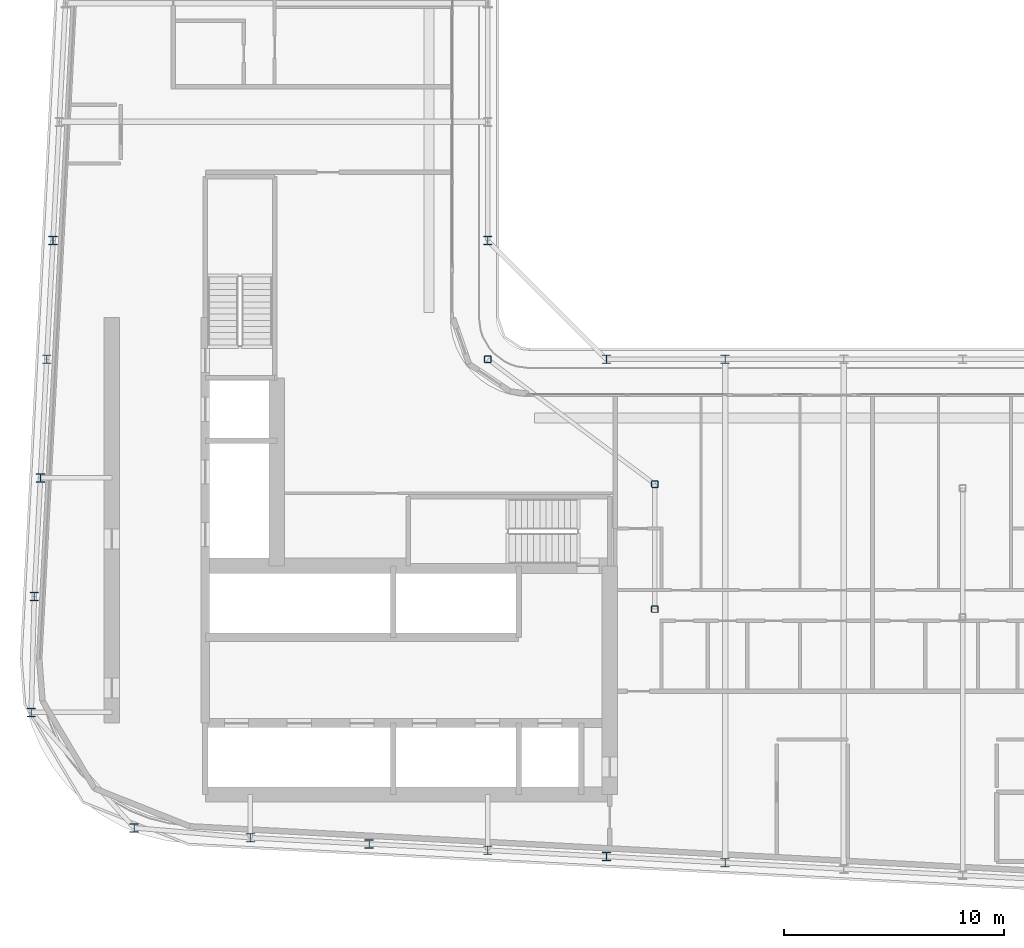
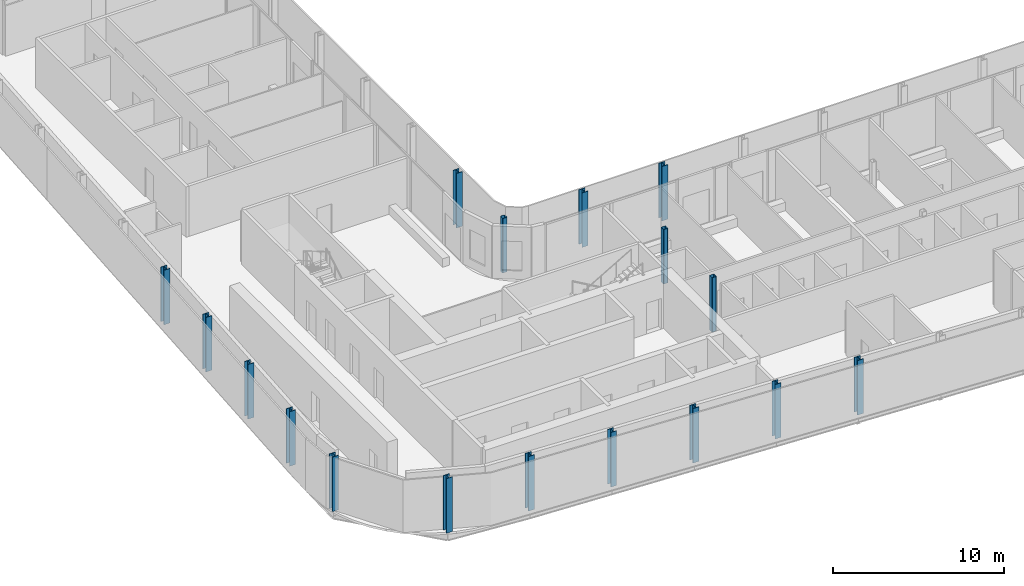
# One storey, part 1 of 23: 17 columns.
"""IFC4 building model written with IfcOpenShell, lengths in metres."""

from ifc_helpers import new_model, si_unit, direction, frame, origin, origin_2d, place, context, subcontext, project, spatial, hollow_rectangle, i_section, extrude, material, material_profile, profile_set, type_object, element, save


model = new_model("IFC4")

# Units and contexts
model_context = context("Model", 3, precision=1e-05, world=origin(), true_north=direction((0.0, 1.0)))
body_context = subcontext(model_context, "Body", "Model", "MODEL_VIEW")
ifc_project = project(units=[si_unit("LENGTHUNIT", "METRE"), si_unit("AREAUNIT", "SQUARE_METRE"), si_unit("VOLUMEUNIT", "CUBIC_METRE"), si_unit("PLANEANGLEUNIT", "RADIAN"), si_unit("MASSUNIT", "GRAM", prefix="KILO")], contexts=[model_context])

# Site, building, storey
site_placement = place(None, origin())
site = spatial("IfcSite", under=ifc_project, at=site_placement, CompositionType="ELEMENT")
building_placement = place(site_placement, origin())
building = spatial("IfcBuilding", under=site, at=building_placement, Name="Kheshtan School and Residences Tower", CompositionType="ELEMENT")
storey_placement = place(building_placement, frame((0.0, 0.0, 259.10009765625)))
storey = spatial("IfcBuildingStorey", under=building, at=storey_placement, Name="L61", CompositionType="ELEMENT", Elevation=259.10009765625)

# Columns
ifc_material_1 = material(Name="Steel ASTM A992 Grade 50", Category="steel")
ifc_material_profile_1 = material_profile(ifc_material_1, i_section(OverallWidth=0.404052734375, OverallDepth=0.406982421875, WebThickness=0.027099609375, FlangeThickness=0.043701171875, FilletRadius=0.01220703125, at=origin_2d()), Name="W360x347")
ifc_profile_set_1 = profile_set([ifc_material_profile_1], Name="Steel ASTM A992 Grade 50")
column_type_1 = type_object("IfcColumnType", Name="Column C4 W360x347 ASTM A992 Grade 50", PredefinedType="COLUMN", material=ifc_profile_set_1)
for number, where, z_axis, x_axis, name in (
    (1, (58.39990234375, 22.695068359375, 0.0), (0.0, 0.0, 1.0), (1.0, 0.0, 0.0), "Column C018"),
    (2, (53.0, 22.97998046875, 0.0), (0.0, 0.0, 1.0), (1.0, 0.0, 0.0), "Column C019"),
    (3, (47.60009765625, 23.263916015625, 0.0), (0.0, 0.0, 1.0), (1.0, 0.0, 0.0), "Column C020"),
    (4, (42.199951171875, 23.548095703125, 0.0), (0.0, 0.0, 1.0), (1.0, 0.0, 0.0), "Column C021"),
    (5, (36.800048828125, 23.83203125, 0.0), (0.0, 0.0, 1.0), (1.0, 0.0, 0.0), "Column C022"),
    (6, (31.510009765625, 24.282958984375, 0.0), (0.0, 0.0, 1.0), (1.0, 0.0, 0.0), "Column C030"),
    (7, (26.830078125, 29.5380859375, 0.0), (0.0, 0.0, 1.0), (1.0, 0.0, 0.0), "Column C043"),
    (8, (26.968994140625, 34.800048828125, 0.0), (0.0, 0.0, 1.0), (1.0, 0.0, 0.0), "Column C052"),
    (9, (27.2529296875, 40.199951171875, 0.0), (0.0, 0.0, 1.0), (1.0, 0.0, 0.0), "Column C056"),
    (10, (27.537109375, 45.60009765625, 0.0), (0.0, 0.0, 1.0), (1.0, 0.0, 0.0), "Column C059"),
    (11, (53.0, 45.60009765625, 0.0), (0.0, 0.0, 1.0), (1.0, 0.0, 0.0), "Column C061"),
    (12, (58.39990234375, 45.60009765625, 0.0), (0.0, 0.0, 1.0), (1.0, 0.0, 0.0), "Column C062"),
    (13, (27.822021484375, 51.0, 0.0), (0.0, 0.0, 1.0), (1.0, 0.0, 0.0), "Column C078"),
    (14, (47.60009765625, 51.0, 0.0), (0.0, 0.0, 1.0), (1.0, 0.0, 0.0), "Column C079"),
):
    element("IfcColumn", number, at=place(storey_placement, frame(where, z_axis=z_axis, x_axis=x_axis)), inside=storey, type_object=column_type_1, Name=name, PredefinedType="COLUMN", context=body_context, shape_type="SweptSolid", body=[
        extrude(i_section(OverallWidth=0.404052734375, OverallDepth=0.406982421875, WebThickness=0.027099609375, FlangeThickness=0.043701171875, FilletRadius=0.01220703125, at=origin_2d()), origin(), (0.0, 0.0, 1.0), 3.89990234375),
    ])
ifc_material_2 = material(Name="Steel ASTM A500 Grade C", Category="steel")
ifc_material_profile_2 = material_profile(ifc_material_2, hollow_rectangle(XDim=0.304931640625, YDim=0.304931640625, WallThickness=0.015869140625, InnerFilletRadius=0.015869140625, OuterFilletRadius=0.03173828125, at=origin_2d()), Name="HSS 305x305x15.9")
ifc_profile_set_2 = profile_set([ifc_material_profile_2], Name="Steel ASTM A500 Grade C")
column_type_2 = type_object("IfcColumnType", Name="Column IC2 HSS 305x305x15.9 ASTM A500 Grade C", PredefinedType="COLUMN", material=ifc_profile_set_2)
for number, where, z_axis, x_axis, name in (
    (15, (55.199951171875, 34.23193359375, 0.0), (0.0, 0.0, 1.0), (1.0, 0.0, 0.0), "Column C051"),
    (16, (55.199951171875, 39.916015625, 0.0), (0.0, 0.0, 1.0), (1.0, 0.0, 0.0), "Column C055"),
    (17, (47.60009765625, 45.60009765625, 0.0), (0.0, 0.0, 1.0), (1.0, 0.0, 0.0), "Column C060"),
):
    element("IfcColumn", number, at=place(storey_placement, frame(where, z_axis=z_axis, x_axis=x_axis)), inside=storey, type_object=column_type_2, Name=name, PredefinedType="COLUMN", context=body_context, shape_type="SweptSolid", body=[
        extrude(hollow_rectangle(XDim=0.304931640625, YDim=0.304931640625, WallThickness=0.015869140625, InnerFilletRadius=0.015869140625, OuterFilletRadius=0.03173828125, at=origin_2d()), origin(), (0.0, 0.0, 1.0), 3.89990234375),
    ])

save(model, "model.ifc")
